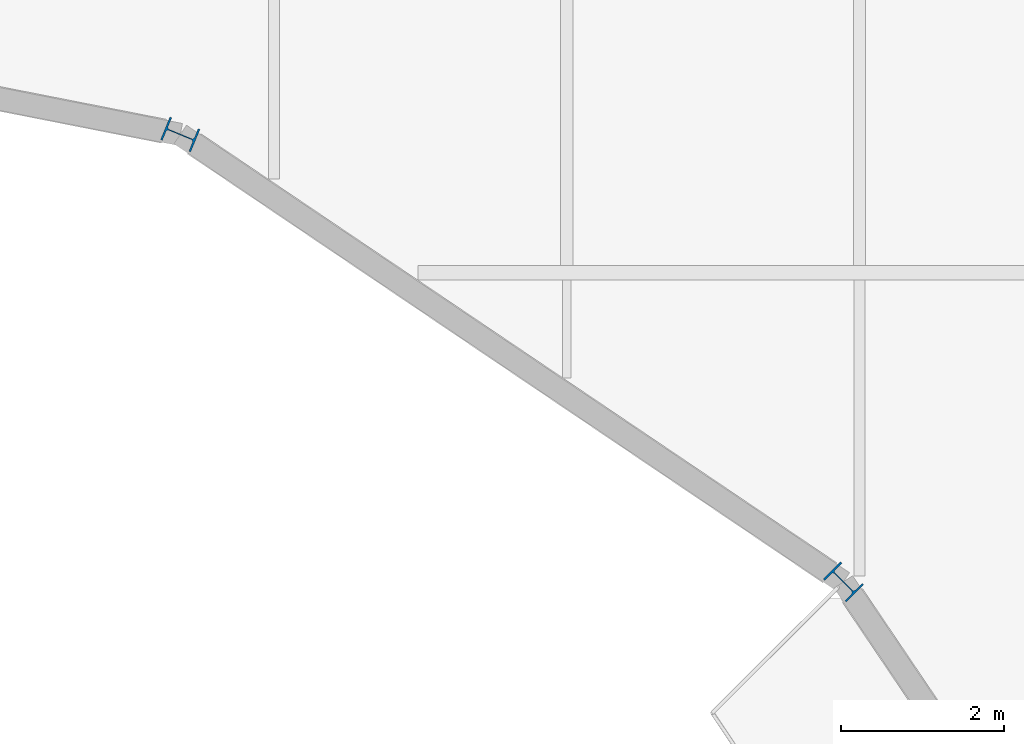
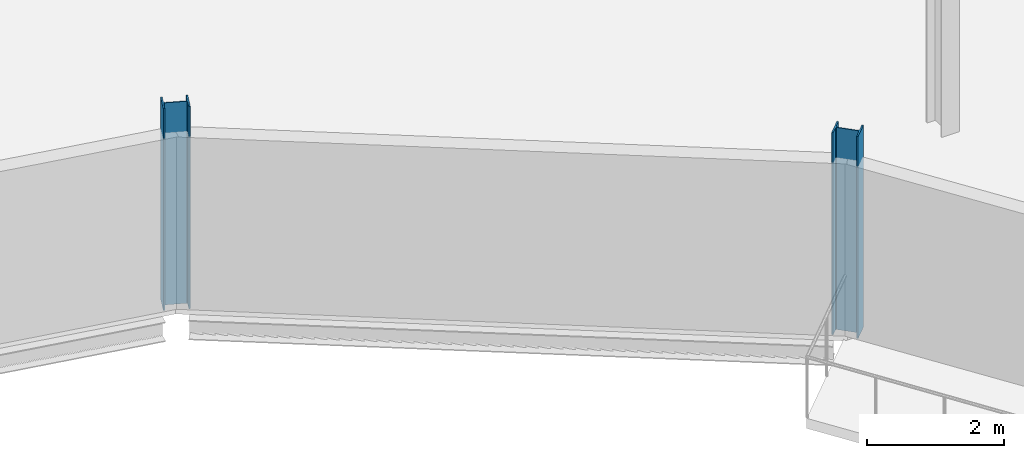
# One storey, part 8 of 143: 2 columns.
"""IFC4 building model written with IfcOpenShell, lengths in metres."""

from ifc_helpers import new_model, si_unit, direction, frame, origin, origin_2d, place, context, subcontext, project, spatial, i_section, extrude, material, material_profile, profile_set, type_object, element, save


model = new_model("IFC4")

# Units and contexts
model_context = context("Model", 3, precision=1e-05, world=origin(), true_north=direction((0.0, 1.0)))
body_context = subcontext(model_context, "Body", "Model", "MODEL_VIEW")
ifc_project = project(units=[si_unit("LENGTHUNIT", "METRE"), si_unit("AREAUNIT", "SQUARE_METRE"), si_unit("VOLUMEUNIT", "CUBIC_METRE"), si_unit("PLANEANGLEUNIT", "RADIAN"), si_unit("MASSUNIT", "GRAM", prefix="KILO")], contexts=[model_context])

# Site, building, storey
site_placement = place(None, origin())
site = spatial("IfcSite", under=ifc_project, at=site_placement, CompositionType="ELEMENT")
building_placement = place(site_placement, origin())
building = spatial("IfcBuilding", under=site, at=building_placement, Name="Kupolbacken Congress Centre", CompositionType="ELEMENT")
storey_placement = place(building_placement, frame((0.0, 0.0, 7.199951171875)))
storey = spatial("IfcBuildingStorey", under=building, at=storey_placement, Name="L02", CompositionType="ELEMENT", Elevation=7.199951171875)

# Columns
ifc_material = material(Name="Steel S355", Category="steel")
ifc_material_profile = material_profile(ifc_material, i_section(OverallWidth=0.300048828125, OverallDepth=0.39990234375, WebThickness=0.013427734375, FlangeThickness=0.02392578125, FilletRadius=0.027099609375, at=origin_2d()), Name="HEB 400")
ifc_profile_set = profile_set([ifc_material_profile], Name="Steel S355")
column_type = type_object("IfcColumnType", Name="C08 column HEB 400", PredefinedType="COLUMN", material=ifc_profile_set)
for number, where, z_axis, x_axis, name in (
    (1, (61.0, 104.199951171875, 0.0), (0.0, 0.0, 1.0), (0.707106781187, 0.707106781187, 0.0), "S/col/C-D03/L02"),
    (2, (52.85009765625, 109.699951171875, 0.0), (0.0, 0.0, 1.0), (0.382643629864, 0.923896018243, 0.0), "S/col/C-D04/L02"),
):
    element("IfcColumn", number, at=place(storey_placement, frame(where, z_axis=z_axis, x_axis=x_axis)), inside=storey, type_object=column_type, Name=name, PredefinedType="COLUMN", context=body_context, shape_type="SweptSolid", body=[
        extrude(i_section(OverallWidth=0.300048828125, OverallDepth=0.39990234375, WebThickness=0.013427734375, FlangeThickness=0.02392578125, FilletRadius=0.027099609375, at=origin_2d()), origin(), (0.0, 0.0, 1.0), 3.60009765625),
    ])

save(model, "model.ifc")
